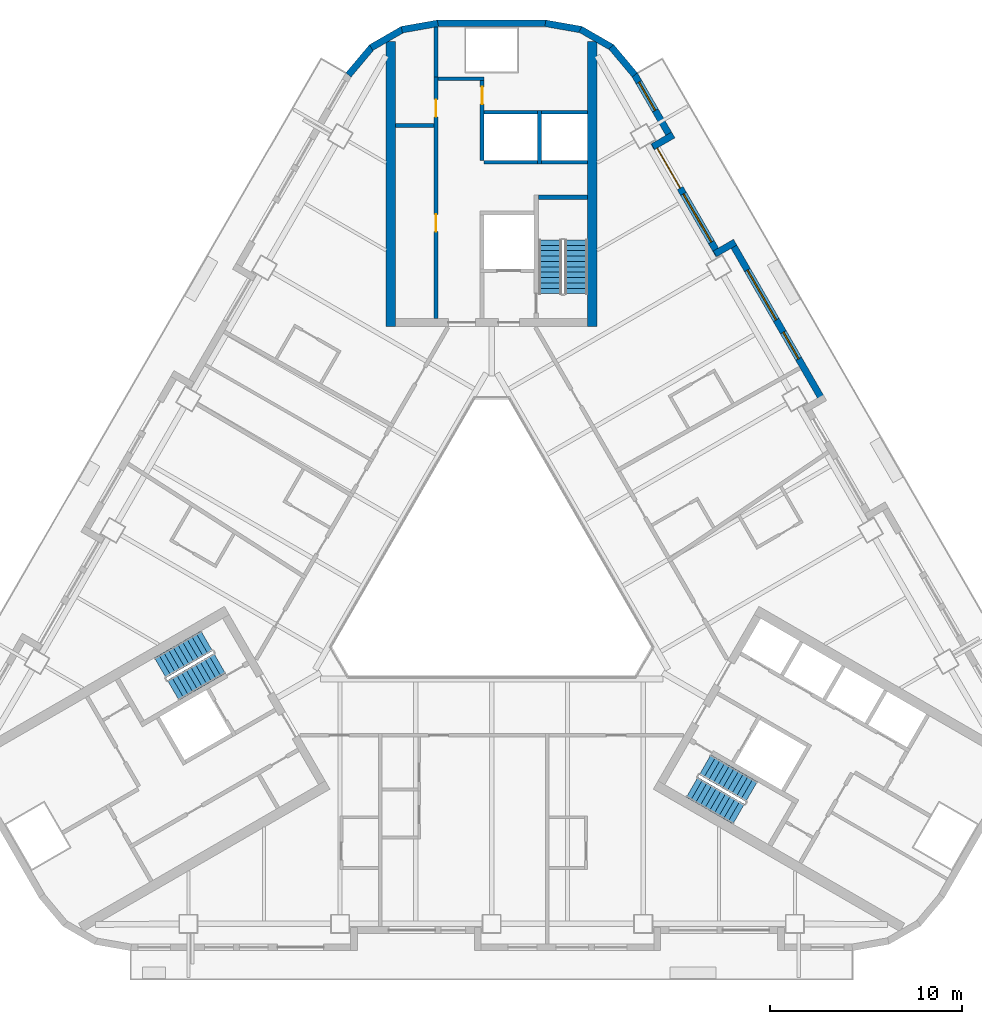
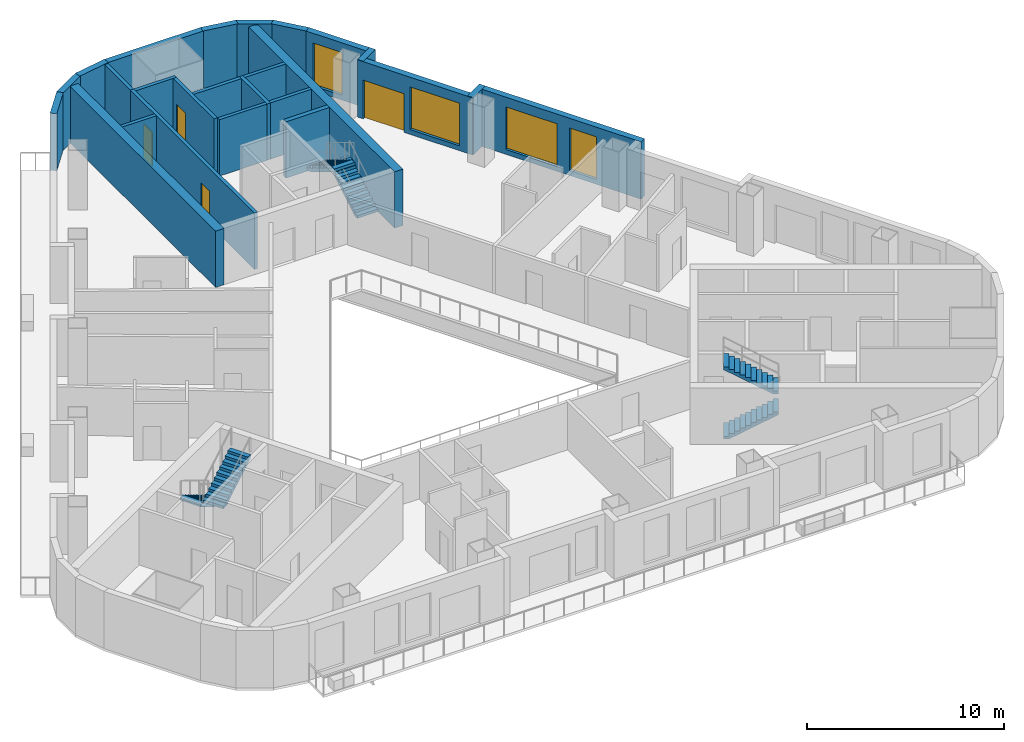
# One storey, part 7 of 13: 25 walls, 6 stair flights, 4 doors, 4 windows, 8 openings, 3 elements without a shape of their own.
"""IFC4 building model written with IfcOpenShell, lengths in metres."""

from ifc_helpers import new_model, si_unit, direction, frame, frame_2d, origin, place, context, subcontext, project, spatial, polyline, rectangle, outline, extrude, material, layer, layer_set, type_object, element, fill, aggregate, save


model = new_model("IFC4")

# Units and contexts
model_context = context("Model", 3, precision=1e-05, world=origin(), true_north=direction((0.0, 1.0)))
body_context = subcontext(model_context, "Body", "Model", "MODEL_VIEW")
ifc_project = project(units=[si_unit("LENGTHUNIT", "METRE"), si_unit("AREAUNIT", "SQUARE_METRE"), si_unit("VOLUMEUNIT", "CUBIC_METRE"), si_unit("PLANEANGLEUNIT", "RADIAN"), si_unit("MASSUNIT", "GRAM", prefix="KILO")], contexts=[model_context])

# Site, building, storey
site_placement = place(None, origin())
site = spatial("IfcSite", under=ifc_project, at=site_placement, CompositionType="ELEMENT")
building_placement = place(site_placement, origin())
building = spatial("IfcBuilding", under=site, at=building_placement, Name="Apuvela Tower Hotel", CompositionType="ELEMENT")
storey_placement = place(building_placement, frame((0.0, 0.0, 57.60009765625)))
storey = spatial("IfcBuildingStorey", under=building, at=storey_placement, Name="L11", CompositionType="ELEMENT", Elevation=57.60009765625)

# Walls
ifc_material_1 = material(Name="Concrete C50/60", Category="concrete")
ifc_layer_1 = layer(ifc_material_1, 0.5)
ifc_layer_set_1 = layer_set([ifc_layer_1], Name="COR-WALL-CORE-500")
wall_type_1 = type_object("IfcWallType", Name="COR-WALL-CORE-500", PredefinedType="SHEAR", material=ifc_layer_set_1)
for number, where, z_axis, x_axis, name in (
    (1, (5.25, 12.89990234375, 0.0), (0.0, 0.0, 1.0), (0.0, 1.0, 0.0), "Core wall N"),
    (2, (-5.25, 12.89990234375, 0.0), (0.0, 0.0, 1.0), (0.0, 1.0, 0.0), "Core wall N"),
):
    element("IfcWall", number, at=place(storey_placement, frame(where, z_axis=z_axis, x_axis=x_axis)), inside=storey, type_object=wall_type_1, Name=name, PredefinedType="SHEAR", context=body_context, shape_type="SweptSolid", body=[
        extrude(rectangle(XDim=14.8369140625, YDim=0.5, at=frame_2d((7.41845703125, 0.0))), origin(), (0.0, 0.0, 1.0), 3.5),
    ])
ifc_material_2 = material(Name="Blockwork 200 mm plastered", Category="masonry")
ifc_layer_2 = layer(ifc_material_2, 0.199951171875)
ifc_layer_set_2 = layer_set([ifc_layer_2], Name="COR-WALL-PART-200")
wall_type_2 = type_object("IfcWallType", Name="COR-WALL-PART-200", PredefinedType="PARTITIONING", material=ifc_layer_set_2)
wall_1_placement = place(storey_placement, frame((5.0, 21.449951171875, 0.0), z_axis=(0.0, 0.0, 1.0), x_axis=(-1.0, 0.0, 0.0)))
element("IfcWall", 3, at=wall_1_placement, inside=storey, type_object=wall_type_2, Name="Partition N", PredefinedType="PARTITIONING", context=body_context, shape_type="SweptSolid", body=[
    extrude(rectangle(XDim=2.39990234375, YDim=0.199951171875, at=frame_2d((1.199951171875, 0.0))), origin(), (0.0, 0.0, 1.0), 3.5),
])
wall_2_placement = place(storey_placement, frame((2.39990234375, 21.449951171875, 0.0), z_axis=(0.0, 0.0, 1.0), x_axis=(-1.0, 0.0, 0.0)))
element("IfcWall", 4, at=wall_2_placement, inside=storey, type_object=wall_type_2, Name="Partition N", PredefinedType="PARTITIONING", context=body_context, shape_type="SweptSolid", body=[
    extrude(rectangle(XDim=2.7998046875, YDim=0.199951171875, at=frame_2d((1.39990234375, 0.0))), origin(), (0.0, 0.0, 1.0), 3.5),
])

# Wall, openings, doors
ifc_layer_3 = layer(ifc_material_1, 0.199951171875)
ifc_layer_set_3 = layer_set([ifc_layer_3], Name="COR-WALL-SHAFT-200")
wall_type_3 = type_object("IfcWallType", Name="COR-WALL-SHAFT-200", PredefinedType="SHEAR", material=ifc_layer_set_3)
wall_3_placement = place(storey_placement, frame((-2.89990234375, 13.300048828125, 0.0), z_axis=(0.0, 0.0, 1.0), x_axis=(0.0, 1.0, 0.0)))
wall_3 = element("IfcWall", 5, at=wall_3_placement, inside=storey, type_object=wall_type_3, Name="Shaft wall N", PredefinedType="SHEAR", context=body_context, shape_type="SweptSolid", body=[
    extrude(rectangle(XDim=12.599853515625, YDim=0.199951171875, at=frame_2d((6.2998046875, 0.0))), origin(), (0.0, 0.0, 1.0), 3.5),
])
opening_1_placement = place(wall_3_placement, frame((4.530029296875, 0.0, 0.0)))
opening_1 = element("IfcOpeningElement", 6, at=opening_1_placement, cuts=wall_3, Name="Opening N-RE1", PredefinedType="OPENING", context=body_context, shape_type="SweptSolid", body=[
    extrude(rectangle(XDim=0.89990234375, YDim=2.10009765625, at=frame_2d((0.449951171875, 1.050048828125))), frame((0.0, 0.10986328125, 0.0), z_axis=(0.0, -1.0, 0.0), x_axis=(1.0, 0.0, 0.0)), (0.0, 0.0, 1.0), 0.219970703125),
])
opening_2_placement = place(wall_3_placement, frame((10.510009765625, 0.0, 0.0)))
opening_2 = element("IfcOpeningElement", 7, at=opening_2_placement, cuts=wall_3, Name="Opening N-REP", PredefinedType="OPENING", context=body_context, shape_type="SweptSolid", body=[
    extrude(rectangle(XDim=0.89990234375, YDim=2.10009765625, at=frame_2d((0.449951171875, 1.050048828125))), frame((0.0, 0.10986328125, 0.0), z_axis=(0.0, -1.0, 0.0), x_axis=(1.0, 0.0, 0.0)), (0.0, 0.0, 1.0), 0.219970703125),
])
ifc_material_3 = material(Name="Steel fire door, powder coated", Category="steel")
door_type_1 = type_object("IfcDoorType", Name="COR-DR-900", OperationType="NOTDEFINED", PredefinedType="DOOR", material=ifc_material_3)
door_1_placement = place(opening_1_placement, origin())
door_1 = element("IfcDoor", 8, at=door_1_placement, inside=storey, type_object=door_type_1, Name="Store door N-RE1", OperationType="SINGLE_SWING_LEFT", OverallHeight=2.10009765625, OverallWidth=0.89990234375, PredefinedType="DOOR", context=body_context, shape_type="SweptSolid", body=[
    extrude(rectangle(XDim=0.89990234375, YDim=2.10009765625, at=frame_2d((0.449951171875, 1.050048828125))), frame((0.0, 0.02490234375, 0.0), z_axis=(0.0, -1.0, 0.0), x_axis=(1.0, 0.0, 0.0)), (0.0, 0.0, 1.0), 0.050048828125),
])
fill(opening_1, door_1)
door_2_placement = place(opening_2_placement, origin())
door_2 = element("IfcDoor", 9, at=door_2_placement, inside=storey, type_object=door_type_1, Name="Store door N-REP", OperationType="SINGLE_SWING_RIGHT", OverallHeight=2.10009765625, OverallWidth=0.89990234375, PredefinedType="DOOR", context=body_context, shape_type="SweptSolid", body=[
    extrude(rectangle(XDim=0.89990234375, YDim=2.10009765625, at=frame_2d((0.449951171875, 1.050048828125))), frame((0.0, 0.02490234375, 0.0), z_axis=(0.0, -1.0, 0.0), x_axis=(1.0, 0.0, 0.0)), (0.0, 0.0, 1.0), 0.050048828125),
])
fill(opening_2, door_2)

# Wall
wall_4_placement = place(storey_placement, frame((-0.39990234375, 25.800048828125, 0.0), z_axis=(0.0, 0.0, 1.0), x_axis=(-1.0, 0.0, 0.0)))
element("IfcWall", 10, at=wall_4_placement, inside=storey, type_object=wall_type_3, Name="Shaft wall N", PredefinedType="SHEAR", context=body_context, shape_type="SweptSolid", body=[
    extrude(rectangle(XDim=2.400146484375, YDim=0.199951171875, at=frame_2d((1.2001953125, 0.0))), origin(), (0.0, 0.0, 1.0), 3.5),
])

# Wall, opening, door
wall_5_placement = place(storey_placement, frame((-0.5, 21.550048828125, 0.0), z_axis=(0.0, 0.0, 1.0), x_axis=(0.0, 1.0, 0.0)))
wall_5 = element("IfcWall", 11, at=wall_5_placement, inside=storey, type_object=wall_type_3, Name="Shaft wall N", PredefinedType="SHEAR", context=body_context, shape_type="SweptSolid", body=[
    extrude(rectangle(XDim=4.14990234375, YDim=0.199951171875, at=frame_2d((2.074951171875, 0.0))), origin(), (0.0, 0.0, 1.0), 3.5),
])
opening_3_placement = place(wall_5_placement, frame((2.925048828125, 0.0, 0.0)))
opening_3 = element("IfcOpeningElement", 12, at=opening_3_placement, cuts=wall_5, Name="Opening N-RSP", PredefinedType="OPENING", context=body_context, shape_type="SweptSolid", body=[
    extrude(rectangle(XDim=0.89990234375, YDim=2.10009765625, at=frame_2d((0.449951171875, 1.050048828125))), frame((0.0, 0.10986328125, 0.0), z_axis=(0.0, -1.0, 0.0), x_axis=(1.0, 0.0, 0.0)), (0.0, 0.0, 1.0), 0.219970703125),
])
door_3_placement = place(opening_3_placement, frame((0.89990234375, 0.0, 0.0), z_axis=(0.0, 0.0, 1.0), x_axis=(-1.0, 0.0, 0.0)))
door_3 = element("IfcDoor", 13, at=door_3_placement, inside=storey, type_object=door_type_1, Name="Store door N-RSP", OperationType="SINGLE_SWING_LEFT", OverallHeight=2.10009765625, OverallWidth=0.89990234375, PredefinedType="DOOR", context=body_context, shape_type="SweptSolid", body=[
    extrude(rectangle(XDim=0.89990234375, YDim=2.10009765625, at=frame_2d((0.449951171875, 1.050048828125))), frame((0.0, 0.02490234375, 0.0), z_axis=(0.0, -1.0, 0.0), x_axis=(1.0, 0.0, 0.0)), (0.0, 0.0, 1.0), 0.050048828125),
])
fill(opening_3, door_3)

# Walls
wall_6_placement = place(storey_placement, frame((-3.0, 23.360107421875, 0.0), z_axis=(0.0, 0.0, 1.0), x_axis=(-1.0, 0.0, 0.0)))
element("IfcWall", 14, at=wall_6_placement, inside=storey, type_object=wall_type_3, Name="Shaft wall N", PredefinedType="SHEAR", context=body_context, shape_type="SweptSolid", body=[
    extrude(rectangle(XDim=2.0, YDim=0.199951171875, at=frame_2d((1.0, 0.0))), origin(), (0.0, 0.0, 1.0), 3.5),
])
wall_7_placement = place(storey_placement, frame((-2.89990234375, 25.89990234375, 0.0), z_axis=(0.0, 0.0, 1.0), x_axis=(0.0, 1.0, 0.0)))
element("IfcWall", 15, at=wall_7_placement, inside=storey, type_object=wall_type_3, Name="Shaft wall N", PredefinedType="SHEAR", context=body_context, shape_type="SweptSolid", body=[
    extrude(rectangle(XDim=2.60009765625, YDim=0.199951171875, at=frame_2d((1.300048828125, 0.0))), origin(), (0.0, 0.0, 1.0), 3.5),
])
wall_8_placement = place(storey_placement, frame((2.5, 21.35009765625, 0.0), z_axis=(0.0, 0.0, 1.0), x_axis=(0.0, 1.0, 0.0)))
element("IfcWall", 16, at=wall_8_placement, inside=storey, type_object=wall_type_3, Name="Shaft wall N", PredefinedType="SHEAR", context=body_context, shape_type="SweptSolid", body=[
    extrude(rectangle(XDim=2.7998046875, YDim=0.199951171875, at=frame_2d((1.39990234375, 0.0))), origin(), (0.0, 0.0, 1.0), 3.5),
])
wall_9_placement = place(storey_placement, frame((5.0, 24.050048828125, 0.0), z_axis=(0.0, 0.0, 1.0), x_axis=(-1.0, 0.0, 0.0)))
element("IfcWall", 17, at=wall_9_placement, inside=storey, type_object=wall_type_3, Name="Shaft wall N", PredefinedType="SHEAR", context=body_context, shape_type="SweptSolid", body=[
    extrude(rectangle(XDim=2.39990234375, YDim=0.199951171875, at=frame_2d((1.199951171875, 0.0))), origin(), (0.0, 0.0, 1.0), 3.5),
])
wall_10_placement = place(storey_placement, frame((2.39990234375, 24.050048828125, 0.0), z_axis=(0.0, 0.0, 1.0), x_axis=(-1.0, 0.0, 0.0)))
element("IfcWall", 18, at=wall_10_placement, inside=storey, type_object=wall_type_3, Name="Shaft wall N", PredefinedType="SHEAR", context=body_context, shape_type="SweptSolid", body=[
    extrude(rectangle(XDim=2.7998046875, YDim=0.199951171875, at=frame_2d((1.39990234375, 0.0))), origin(), (0.0, 0.0, 1.0), 3.5),
])
ifc_layer_4 = layer(ifc_material_1, 0.25)
ifc_layer_set_4 = layer_set([ifc_layer_4], Name="COR-WALL-STAIR-250")
wall_type_4 = type_object("IfcWallType", Name="COR-WALL-STAIR-250", PredefinedType="SHEAR", material=ifc_layer_set_4)
wall_11_placement = place(storey_placement, frame((5.0, 19.625, 0.0), z_axis=(0.0, 0.0, 1.0), x_axis=(-1.0, 0.0, 0.0)))
element("IfcWall", 19, at=wall_11_placement, inside=storey, type_object=wall_type_4, Name="Stair wall N", PredefinedType="SHEAR", context=body_context, shape_type="SweptSolid", body=[
    extrude(rectangle(XDim=2.550048828125, YDim=0.25, at=frame_2d((1.27490234375, 0.0))), origin(), (0.0, 0.0, 1.0), 3.5),
])

# Wall, openings, windows
ifc_material_4 = material(Name="Concrete C40/50, dark pigmented precast panel", Category="concrete")
ifc_layer_5 = layer(ifc_material_4, 0.35009765625)
ifc_layer_set_5 = layer_set([ifc_layer_5], Name="ENV-WALL-350")
wall_type_5 = type_object("IfcWallType", Name="ENV-WALL-350", PredefinedType="SOLIDWALL", material=ifc_layer_set_5)
wall_12_placement = place(storey_placement, frame((17.298583984375, 8.947998046875, 0.0), z_axis=(0.0, 0.0, 1.0), x_axis=(-0.500010041276, 0.866019606374, 0.0)))
wall_12 = element("IfcWall", 20, at=wall_12_placement, inside=storey, type_object=wall_type_5, Name="External wall L11-37", PredefinedType="SOLIDWALL", context=body_context, shape_type="SweptSolid", body=[
    extrude(rectangle(XDim=9.699951171875, YDim=0.35009765625, at=frame_2d((4.85009765625, 0.0))), origin(), (0.0, 0.0, 1.0), 3.5498046875),
])
opening_4_placement = place(wall_12_placement, frame((2.60986328125, 0.0, 0.300048828125)))
opening_4 = element("IfcOpeningElement", 21, at=opening_4_placement, cuts=wall_12, Name="Opening WN16", PredefinedType="OPENING", context=body_context, shape_type="SweptSolid", body=[
    extrude(rectangle(XDim=1.60009765625, YDim=2.64990234375, at=frame_2d((0.800048828125, 1.324951171875))), frame((0.0, 0.18505859375, 0.0), z_axis=(0.0, -1.0, 0.0), x_axis=(1.0, 0.0, 0.0)), (0.0, 0.0, 1.0), 0.3701171875),
])
opening_5_placement = place(wall_12_placement, frame((4.94921875, 0.0, 0.300048828125)))
opening_5 = element("IfcOpeningElement", 22, at=opening_5_placement, cuts=wall_12, Name="Opening WN30", PredefinedType="OPENING", context=body_context, shape_type="SweptSolid", body=[
    extrude(rectangle(XDim=3.0, YDim=2.64990234375, at=frame_2d((1.5, 1.324951171875))), frame((0.0, 0.18505859375, 0.0), z_axis=(0.0, -1.0, 0.0), x_axis=(1.0, 0.0, 0.0)), (0.0, 0.0, 1.0), 0.3701171875),
])
ifc_material_5 = material(Name="Glass, dark tinted laminated insulated glazing unit", Category="glass")
window_type_1 = type_object("IfcWindowType", Name="ENV-WIN-1600x2650", PartitioningType="SINGLE_PANEL", PredefinedType="WINDOW", material=ifc_material_5)
window_1_placement = place(opening_4_placement, origin())
window_1 = element("IfcWindow", 23, at=window_1_placement, inside=storey, type_object=window_type_1, Name="Window WN16", OverallHeight=2.64990234375, OverallWidth=1.60009765625, PartitioningType="SINGLE_PANEL", PredefinedType="WINDOW", context=body_context, shape_type="SweptSolid", body=[
    extrude(rectangle(XDim=1.60009765625, YDim=2.64990234375, at=frame_2d((0.800048828125, 1.324951171875))), frame((0.0, 0.030029296875, 0.0), z_axis=(0.0, -1.0, 0.0), x_axis=(1.0, 0.0, 0.0)), (0.0, 0.0, 1.0), 0.06005859375),
])
fill(opening_4, window_1)
window_type_2 = type_object("IfcWindowType", Name="ENV-WIN-3000x2650", PartitioningType="SINGLE_PANEL", PredefinedType="WINDOW", material=ifc_material_5)
window_2_placement = place(opening_5_placement, origin())
window_2 = element("IfcWindow", 24, at=window_2_placement, inside=storey, type_object=window_type_2, Name="Window WN30", OverallHeight=2.64990234375, OverallWidth=3.0, PartitioningType="SINGLE_PANEL", PredefinedType="WINDOW", context=body_context, shape_type="SweptSolid", body=[
    extrude(rectangle(XDim=3.0, YDim=2.64990234375, at=frame_2d((1.5, 1.324951171875))), frame((0.0, 0.030029296875, 0.0), z_axis=(0.0, -1.0, 0.0), x_axis=(1.0, 0.0, 0.0)), (0.0, 0.0, 1.0), 0.06005859375),
])
fill(opening_5, window_2)

# Wall
wall_13_placement = place(storey_placement, frame((12.6875, 17.284423828125, 0.0), z_axis=(0.0, 0.0, 1.0), x_axis=(-0.865955602162, -0.500120880472, 0.0)))
element("IfcWall", 25, at=wall_13_placement, inside=storey, type_object=wall_type_5, Name="External wall L11-38", PredefinedType="SOLIDWALL", context=body_context, shape_type="SweptSolid", body=[
    extrude(rectangle(XDim=1.219970703125, YDim=0.35009765625, at=frame_2d((0.60986328125, 0.0))), origin(), (0.0, 0.0, 1.0), 3.5498046875),
])

# Wall, openings, door, window
wall_14_placement = place(storey_placement, frame((11.8291015625, 16.621337890625, 0.0), z_axis=(0.0, 0.0, 1.0), x_axis=(-0.500003597184, 0.866023326939, 0.0)))
wall_14 = element("IfcWall", 26, at=wall_14_placement, inside=storey, type_object=wall_type_5, Name="External wall L11-39", PredefinedType="SOLIDWALL", context=body_context, shape_type="SweptSolid", body=[
    extrude(rectangle(XDim=6.740234375, YDim=0.35009765625, at=frame_2d((3.3701171875, 0.0))), origin(), (0.0, 0.0, 1.0), 3.5498046875),
])
opening_6_placement = place(wall_14_placement, frame((4.01953125, 0.0, 0.0)))
opening_6 = element("IfcOpeningElement", 27, at=opening_6_placement, cuts=wall_14, Name="Opening BD24", PredefinedType="OPENING", context=body_context, shape_type="SweptSolid", body=[
    extrude(rectangle(XDim=2.39990234375, YDim=2.39990234375, at=frame_2d((1.199951171875, 1.199951171875))), frame((0.0, 0.18505859375, 0.0), z_axis=(0.0, -1.0, 0.0), x_axis=(1.0, 0.0, 0.0)), (0.0, 0.0, 1.0), 0.3701171875),
])
opening_7_placement = place(wall_14_placement, frame((0.77001953125, 0.0, 0.300048828125)))
opening_7 = element("IfcOpeningElement", 28, at=opening_7_placement, cuts=wall_14, Name="Opening WN29", PredefinedType="OPENING", context=body_context, shape_type="SweptSolid", body=[
    extrude(rectangle(XDim=2.89990234375, YDim=2.64990234375, at=frame_2d((1.449951171875, 1.324951171875))), frame((0.0, 0.18505859375, 0.0), z_axis=(0.0, -1.0, 0.0), x_axis=(1.0, 0.0, 0.0)), (0.0, 0.0, 1.0), 0.3701171875),
])
ifc_material_6 = material(Name="Aluminium 6063-T6, dark bronze anodised frame with dark tinted laminated glass", Category="aluminium")
door_type_2 = type_object("IfcDoorType", Name="ENV-DOOR-BALCONY-2400x2400", OperationType="SLIDING_TO_LEFT", PredefinedType="DOOR", material=ifc_material_6)
door_4_placement = place(opening_6_placement, frame((2.39990234375, 0.0, 0.0), z_axis=(0.0, 0.0, 1.0), x_axis=(-1.0, 0.0, 0.0)))
door_4 = element("IfcDoor", 29, at=door_4_placement, inside=storey, type_object=door_type_2, Name="Balcony door BD24", OperationType="SLIDING_TO_LEFT", OverallHeight=2.39990234375, OverallWidth=2.39990234375, PredefinedType="DOOR", context=body_context, shape_type="SweptSolid", body=[
    extrude(rectangle(XDim=2.39990234375, YDim=2.39990234375, at=frame_2d((1.199951171875, 1.199951171875))), frame((0.0, 0.02490234375, 0.0), z_axis=(0.0, -1.0, 0.0), x_axis=(1.0, 0.0, 0.0)), (0.0, 0.0, 1.0), 0.050048828125),
])
fill(opening_6, door_4)
window_type_3 = type_object("IfcWindowType", Name="ENV-WIN-2900x2650", PartitioningType="SINGLE_PANEL", PredefinedType="WINDOW", material=ifc_material_5)
window_3_placement = place(opening_7_placement, origin())
window_3 = element("IfcWindow", 30, at=window_3_placement, inside=storey, type_object=window_type_3, Name="Window WN29", OverallHeight=2.64990234375, OverallWidth=2.89990234375, PartitioningType="SINGLE_PANEL", PredefinedType="WINDOW", context=body_context, shape_type="SweptSolid", body=[
    extrude(rectangle(XDim=2.89990234375, YDim=2.64990234375, at=frame_2d((1.449951171875, 1.324951171875))), frame((0.0, 0.030029296875, 0.0), z_axis=(0.0, -1.0, 0.0), x_axis=(1.0, 0.0, 0.0)), (0.0, 0.0, 1.0), 0.06005859375),
])
fill(opening_7, window_3)

# Wall
wall_15_placement = place(storey_placement, frame((8.406005859375, 22.26025390625, 0.0), z_axis=(0.0, 0.0, 1.0), x_axis=(0.865955602162, 0.500120880472, 0.0)))
element("IfcWall", 31, at=wall_15_placement, inside=storey, type_object=wall_type_5, Name="External wall L11-40", PredefinedType="SOLIDWALL", context=body_context, shape_type="SweptSolid", body=[
    extrude(rectangle(XDim=1.219970703125, YDim=0.35009765625, at=frame_2d((0.60986328125, 0.0))), origin(), (0.0, 0.0, 1.0), 3.5498046875),
])

# Wall, opening, window
wall_16_placement = place(storey_placement, frame((9.3984375, 22.631103515625, 0.0), z_axis=(0.0, 0.0, 1.0), x_axis=(-0.499954521343, 0.866051659307, 0.0)))
wall_16 = element("IfcWall", 32, at=wall_16_placement, inside=storey, type_object=wall_type_5, Name="External wall L11-41", PredefinedType="SOLIDWALL", context=body_context, shape_type="SweptSolid", body=[
    extrude(rectangle(XDim=3.915771484375, YDim=0.35009765625, at=frame_2d((1.9580078125, 0.0))), origin(), (0.0, 0.0, 1.0), 3.5498046875),
])
opening_8_placement = place(wall_16_placement, frame((1.749755859375, 0.0, 0.300048828125)))
opening_8 = element("IfcOpeningElement", 33, at=opening_8_placement, cuts=wall_16, Name="Opening WN17", PredefinedType="OPENING", context=body_context, shape_type="SweptSolid", body=[
    extrude(rectangle(XDim=1.699951171875, YDim=2.64990234375, at=frame_2d((0.85009765625, 1.324951171875))), frame((0.0, 0.18505859375, 0.0), z_axis=(0.0, -1.0, 0.0), x_axis=(1.0, 0.0, 0.0)), (0.0, 0.0, 1.0), 0.3701171875),
])
window_type_4 = type_object("IfcWindowType", Name="ENV-WIN-1700x2650", PartitioningType="SINGLE_PANEL", PredefinedType="WINDOW", material=ifc_material_5)
window_4_placement = place(opening_8_placement, origin())
window_4 = element("IfcWindow", 34, at=window_4_placement, inside=storey, type_object=window_type_4, Name="Window WN17", OverallHeight=2.64990234375, OverallWidth=1.699951171875, PartitioningType="SINGLE_PANEL", PredefinedType="WINDOW", context=body_context, shape_type="SweptSolid", body=[
    extrude(rectangle(XDim=1.699951171875, YDim=2.64990234375, at=frame_2d((0.85009765625, 1.324951171875))), frame((0.0, 0.030029296875, 0.0), z_axis=(0.0, -1.0, 0.0), x_axis=(1.0, 0.0, 0.0)), (0.0, 0.0, 1.0), 0.06005859375),
])
fill(opening_8, window_4)

# Walls
wall_17_placement = place(storey_placement, frame((7.4580078125, 25.99755859375, 0.0), z_axis=(0.0, 0.0, 1.0), x_axis=(-0.642808304945, 0.766027077259, 0.0)))
element("IfcWall", 35, at=wall_17_placement, inside=storey, type_object=wall_type_5, Name="External wall L11-42", PredefinedType="SOLIDWALL", context=body_context, shape_type="SweptSolid", body=[
    extrude(rectangle(XDim=1.909912109375, YDim=0.35009765625, at=frame_2d((0.955078125, 0.0))), origin(), (0.0, 0.0, 1.0), 3.5498046875),
])
for number, where, z_axis, x_axis, name in (
    (36, (6.27685546875, 27.421630859375, 0.0), (0.0, 0.0, 1.0), (-0.866032345022, 0.499987977232, 0.0), "External wall L11-43"),
    (37, (4.6796875, 28.35595703125, 0.0), (0.0, 0.0, 1.0), (-0.984798995425, 0.173697837091, 0.0), "External wall L11-44"),
):
    element("IfcWall", number, at=place(storey_placement, frame(where, z_axis=z_axis, x_axis=x_axis)), inside=storey, type_object=wall_type_5, Name=name, PredefinedType="SOLIDWALL", context=body_context, shape_type="SweptSolid", body=[
        extrude(rectangle(XDim=1.91015625, YDim=0.35009765625, at=frame_2d((0.955078125, 0.0))), origin(), (0.0, 0.0, 1.0), 3.5498046875),
    ])
wall_18_placement = place(storey_placement, frame((2.8291015625, 28.68505859375, 0.0), z_axis=(0.0, 0.0, 1.0), x_axis=(-1.0, 0.0, 0.0)))
element("IfcWall", 38, at=wall_18_placement, inside=storey, type_object=wall_type_5, Name="External wall L11-45", PredefinedType="SOLIDWALL", context=body_context, shape_type="SweptSolid", body=[
    extrude(rectangle(XDim=5.658203125, YDim=0.35009765625, at=frame_2d((2.8291015625, 0.0))), origin(), (0.0, 0.0, 1.0), 3.5498046875),
])
for number, where, z_axis, x_axis, name in (
    (39, (-2.798583984375, 28.687744140625, 0.0), (0.0, 0.0, 1.0), (-0.984798995425, -0.173697837091, 0.0), "External wall L11-46"),
    (40, (-4.62255859375, 28.376708984375, 0.0), (0.0, 0.0, 1.0), (-0.866032345022, -0.499987977232, 0.0), "External wall L11-47"),
):
    element("IfcWall", number, at=place(storey_placement, frame(where, z_axis=z_axis, x_axis=x_axis)), inside=storey, type_object=wall_type_5, Name=name, PredefinedType="SOLIDWALL", context=body_context, shape_type="SweptSolid", body=[
        extrude(rectangle(XDim=1.91015625, YDim=0.35009765625, at=frame_2d((0.955078125, 0.0))), origin(), (0.0, 0.0, 1.0), 3.5498046875),
    ])
wall_19_placement = place(storey_placement, frame((-6.230224609375, 27.460693359375, 0.0), z_axis=(0.0, 0.0, 1.0), x_axis=(-0.642808304945, -0.766027077259, 0.0)))
element("IfcWall", 41, at=wall_19_placement, inside=storey, type_object=wall_type_5, Name="External wall L11-48", PredefinedType="SOLIDWALL", context=body_context, shape_type="SweptSolid", body=[
    extrude(rectangle(XDim=1.909912109375, YDim=0.35009765625, at=frame_2d((0.955078125, 0.0))), origin(), (0.0, 0.0, 1.0), 3.5498046875),
])

# Stair, stair flights
stair_type = type_object("IfcStairType", Name="COR-STAIR-22R", PredefinedType="HALF_TURN_STAIR", material=ifc_material_1)
stair_1_placement = place(storey_placement, origin())
stair_1 = element("IfcStair", 42, at=stair_1_placement, inside=storey, type_object=stair_type, Name="L11 Exit stair ST1", PredefinedType="HALF_TURN_STAIR")
stair_flight_type = type_object("IfcStairFlightType", Name="COR-FLIGHT-11R", PredefinedType="STRAIGHT", material=ifc_material_1)
stair_flight_1_placement = place(storey_placement, frame((4.39990234375, 14.60009765625, 0.0), z_axis=(0.0, 0.0, 1.0), x_axis=(0.0, 1.0, 0.0)))
stair_flight_1 = element("IfcStairFlight", 43, at=stair_flight_1_placement, type_object=stair_flight_type, Name="ST1 flight 1", NumberOfRisers=11, NumberOfTreads=10, PredefinedType="STRAIGHT", RiserHeight=0.168181818, TreadLength=0.28, context=body_context, shape_type="SweptSolid", body=[
    extrude(outline(polyline([(0.0, 0.0), (0.0, 0.168212890625), (0.280029296875, 0.168212890625), (0.280029296875, 0.33642578125), (0.56005859375, 0.33642578125), (0.56005859375, 0.504638671875), (0.840087890625, 0.504638671875), (0.840087890625, 0.672607421875), (1.1201171875, 0.672607421875), (1.1201171875, 0.8408203125), (1.39990234375, 0.8408203125), (1.39990234375, 1.009033203125), (1.679931640625, 1.009033203125), (1.679931640625, 1.17724609375), (1.9599609375, 1.17724609375), (1.9599609375, 1.345458984375), (2.239990234375, 1.345458984375), (2.239990234375, 1.513671875), (2.52001953125, 1.513671875), (2.52001953125, 1.681884765625), (2.800048828125, 1.681884765625), (2.800048828125, 1.85009765625), (2.800048828125, 1.5068359375), (0.291015625, 0.0), (0.0, 0.0)])), frame((0.0, 0.60009765625, 0.0), z_axis=(0.0, -1.0, 0.0), x_axis=(1.0, 0.0, 0.0)), (0.0, 0.0, 1.0), 1.199951171875),
])
stair_flight_2_placement = place(storey_placement, frame((3.050048828125, 17.39990234375, 1.849853515625), z_axis=(0.0, 0.0, 1.0), x_axis=(0.0, -1.0, 0.0)))
stair_flight_2 = element("IfcStairFlight", 44, at=stair_flight_2_placement, type_object=stair_flight_type, Name="ST1 flight 2", NumberOfRisers=11, NumberOfTreads=10, PredefinedType="STRAIGHT", RiserHeight=0.168181818, TreadLength=0.28, context=body_context, shape_type="SweptSolid", body=[
    extrude(outline(polyline([(0.0, 0.0), (0.0, 0.168212890625), (0.280029296875, 0.168212890625), (0.280029296875, 0.33642578125), (0.56005859375, 0.33642578125), (0.56005859375, 0.504638671875), (0.840087890625, 0.504638671875), (0.840087890625, 0.672607421875), (1.1201171875, 0.672607421875), (1.1201171875, 0.8408203125), (1.39990234375, 0.8408203125), (1.39990234375, 1.009033203125), (1.679931640625, 1.009033203125), (1.679931640625, 1.17724609375), (1.9599609375, 1.17724609375), (1.9599609375, 1.345458984375), (2.239990234375, 1.345458984375), (2.239990234375, 1.513671875), (2.52001953125, 1.513671875), (2.52001953125, 1.681884765625), (2.800048828125, 1.681884765625), (2.800048828125, 1.85009765625), (2.800048828125, 1.5068359375), (0.291015625, 0.0), (0.0, 0.0)])), frame((0.0, 0.60009765625, 0.0), z_axis=(0.0, -1.0, 0.0), x_axis=(1.0, 0.0, 0.0)), (0.0, 0.0, 1.0), 1.199951171875),
])
aggregate(stair_1, [stair_flight_1, stair_flight_2])

stair_2_placement = place(storey_placement, origin())
stair_2 = element("IfcStair", 45, at=stair_2_placement, inside=storey, type_object=stair_type, Name="L11 Exit stair ST2", PredefinedType="HALF_TURN_STAIR")
stair_flight_3_placement = place(storey_placement, frame((-14.843994140625, -3.489501953125, 0.0), z_axis=(0.0, 0.0, 1.0), x_axis=(-0.866025403784, -0.5, 0.0)))
stair_flight_3 = element("IfcStairFlight", 46, at=stair_flight_3_placement, type_object=stair_flight_type, Name="ST2 flight 1", NumberOfRisers=11, NumberOfTreads=10, PredefinedType="STRAIGHT", RiserHeight=0.168181818, TreadLength=0.28, context=body_context, shape_type="SweptSolid", body=[
    extrude(outline(polyline([(0.0, 0.0), (0.0, 0.168212890625), (0.280029296875, 0.168212890625), (0.280029296875, 0.33642578125), (0.56005859375, 0.33642578125), (0.56005859375, 0.504638671875), (0.840087890625, 0.504638671875), (0.840087890625, 0.672607421875), (1.1201171875, 0.672607421875), (1.1201171875, 0.8408203125), (1.39990234375, 0.8408203125), (1.39990234375, 1.009033203125), (1.679931640625, 1.009033203125), (1.679931640625, 1.17724609375), (1.9599609375, 1.17724609375), (1.9599609375, 1.345458984375), (2.239990234375, 1.345458984375), (2.239990234375, 1.513671875), (2.52001953125, 1.513671875), (2.52001953125, 1.681884765625), (2.800048828125, 1.681884765625), (2.800048828125, 1.85009765625), (2.800048828125, 1.5068359375), (0.291015625, 0.0), (0.0, 0.0)])), frame((0.0, 0.60009765625, 0.0), z_axis=(0.0, -1.0, 0.0), x_axis=(1.0, 0.0, 0.0)), (0.0, 0.0, 1.0), 1.199951171875),
])
stair_flight_4_placement = place(storey_placement, frame((-16.59375, -6.05859375, 1.849853515625), z_axis=(0.0, 0.0, 1.0), x_axis=(0.866025403784, 0.5, 0.0)))
stair_flight_4 = element("IfcStairFlight", 47, at=stair_flight_4_placement, type_object=stair_flight_type, Name="ST2 flight 2", NumberOfRisers=11, NumberOfTreads=10, PredefinedType="STRAIGHT", RiserHeight=0.168181818, TreadLength=0.28, context=body_context, shape_type="SweptSolid", body=[
    extrude(outline(polyline([(0.0, 0.0), (0.0, 0.168212890625), (0.280029296875, 0.168212890625), (0.280029296875, 0.33642578125), (0.56005859375, 0.33642578125), (0.56005859375, 0.504638671875), (0.840087890625, 0.504638671875), (0.840087890625, 0.672607421875), (1.1201171875, 0.672607421875), (1.1201171875, 0.8408203125), (1.39990234375, 0.8408203125), (1.39990234375, 1.009033203125), (1.679931640625, 1.009033203125), (1.679931640625, 1.17724609375), (1.9599609375, 1.17724609375), (1.9599609375, 1.345458984375), (2.239990234375, 1.345458984375), (2.239990234375, 1.513671875), (2.52001953125, 1.513671875), (2.52001953125, 1.681884765625), (2.800048828125, 1.681884765625), (2.800048828125, 1.85009765625), (2.800048828125, 1.5068359375), (0.291015625, 0.0), (0.0, 0.0)])), frame((0.0, 0.60009765625, 0.0), z_axis=(0.0, -1.0, 0.0), x_axis=(1.0, 0.0, 0.0)), (0.0, 0.0, 1.0), 1.199951171875),
])
aggregate(stair_2, [stair_flight_3, stair_flight_4])

stair_3_placement = place(storey_placement, origin())
stair_3 = element("IfcStair", 48, at=stair_3_placement, inside=storey, type_object=stair_type, Name="L11 Exit stair ST3", PredefinedType="HALF_TURN_STAIR")
stair_flight_5_placement = place(storey_placement, frame((10.444091796875, -11.110595703125, 0.0), z_axis=(0.0, 0.0, 1.0), x_axis=(0.866025403784, -0.5, 0.0)))
stair_flight_5 = element("IfcStairFlight", 49, at=stair_flight_5_placement, type_object=stair_flight_type, Name="ST3 flight 1", NumberOfRisers=11, NumberOfTreads=10, PredefinedType="STRAIGHT", RiserHeight=0.168181818, TreadLength=0.28, context=body_context, shape_type="SweptSolid", body=[
    extrude(outline(polyline([(0.0, 0.0), (0.0, 0.168212890625), (0.280029296875, 0.168212890625), (0.280029296875, 0.33642578125), (0.56005859375, 0.33642578125), (0.56005859375, 0.504638671875), (0.840087890625, 0.504638671875), (0.840087890625, 0.672607421875), (1.1201171875, 0.672607421875), (1.1201171875, 0.8408203125), (1.39990234375, 0.8408203125), (1.39990234375, 1.009033203125), (1.679931640625, 1.009033203125), (1.679931640625, 1.17724609375), (1.9599609375, 1.17724609375), (1.9599609375, 1.345458984375), (2.239990234375, 1.345458984375), (2.239990234375, 1.513671875), (2.52001953125, 1.513671875), (2.52001953125, 1.681884765625), (2.800048828125, 1.681884765625), (2.800048828125, 1.85009765625), (2.800048828125, 1.5068359375), (0.291015625, 0.0), (0.0, 0.0)])), frame((0.0, 0.60009765625, 0.0), z_axis=(0.0, -1.0, 0.0), x_axis=(1.0, 0.0, 0.0)), (0.0, 0.0, 1.0), 1.199951171875),
])
stair_flight_6_placement = place(storey_placement, frame((13.5439453125, -11.34130859375, 1.849853515625), z_axis=(0.0, 0.0, 1.0), x_axis=(-0.866025403784, 0.5, 0.0)))
stair_flight_6 = element("IfcStairFlight", 50, at=stair_flight_6_placement, type_object=stair_flight_type, Name="ST3 flight 2", NumberOfRisers=11, NumberOfTreads=10, PredefinedType="STRAIGHT", RiserHeight=0.168181818, TreadLength=0.28, context=body_context, shape_type="SweptSolid", body=[
    extrude(outline(polyline([(0.0, 0.0), (0.0, 0.168212890625), (0.280029296875, 0.168212890625), (0.280029296875, 0.33642578125), (0.56005859375, 0.33642578125), (0.56005859375, 0.504638671875), (0.840087890625, 0.504638671875), (0.840087890625, 0.672607421875), (1.1201171875, 0.672607421875), (1.1201171875, 0.8408203125), (1.39990234375, 0.8408203125), (1.39990234375, 1.009033203125), (1.679931640625, 1.009033203125), (1.679931640625, 1.17724609375), (1.9599609375, 1.17724609375), (1.9599609375, 1.345458984375), (2.239990234375, 1.345458984375), (2.239990234375, 1.513671875), (2.52001953125, 1.513671875), (2.52001953125, 1.681884765625), (2.800048828125, 1.681884765625), (2.800048828125, 1.85009765625), (2.800048828125, 1.5068359375), (0.291015625, 0.0), (0.0, 0.0)])), frame((0.0, 0.60009765625, 0.0), z_axis=(0.0, -1.0, 0.0), x_axis=(1.0, 0.0, 0.0)), (0.0, 0.0, 1.0), 1.199951171875),
])
aggregate(stair_3, [stair_flight_5, stair_flight_6])

save(model, "model.ifc")
